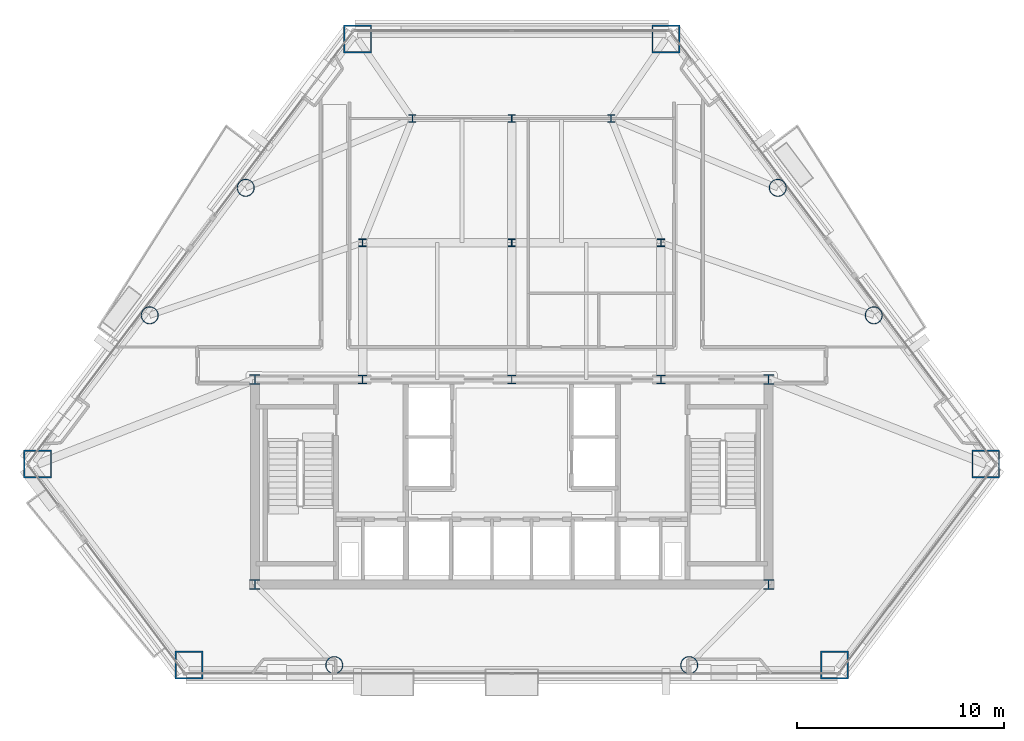
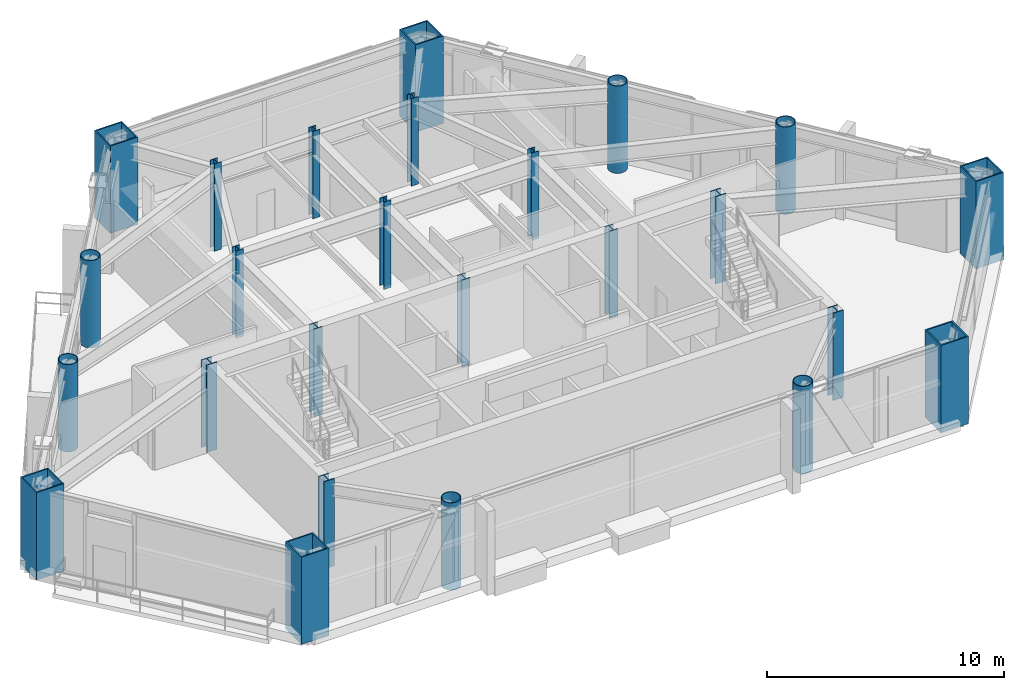
# One storey, part 1 of 10: 25 columns.
"""IFC4 building model written with IfcOpenShell, lengths in metres."""

import ifcopenshell
import ifcopenshell.guid

model = None  # the IFC model being written
_history = None  # IfcOwnerHistory: only IFC2X3 demands one
_inside = {}  # id of a spatial element -> (the spatial element, [elements in it])
_under = {}  # id of a project, library or spatial element -> (it, [spatial elements below it])
_declared = {}  # id of a project -> (the project, [libraries it declares])
_typed = {}  # id of a type object -> (the type object, [elements of that type])
_made_of = {}  # id of a material, layer set ... -> (it, [elements and type objects made of it])


def new_model(schema):
    """Start an empty IFC model of exactly this schema.

    Asked for "IFC4X3", IfcOpenShell would pick the latest addendum, in which some entities
    have other attributes; the version numbers below select the first issue.
    IFC2X3 requires an IfcOwnerHistory on every rooted entity: one is made here for all.
    """
    global model, _history
    if schema == "IFC4X3":
        model = ifcopenshell.file(schema_version=(4, 3, 0, 0))
    else:
        model = ifcopenshell.file(schema=schema)
    _inside.clear()
    _under.clear()
    _declared.clear()
    _typed.clear()
    _made_of.clear()
    _history = None
    if model.schema == "IFC2X3":
        org = make("IfcOrganization", Name="unknown")
        user = make(
            "IfcPersonAndOrganization",
            ThePerson=make("IfcPerson", FamilyName="unknown"),
            TheOrganization=org,
        )
        app = make(
            "IfcApplication",
            ApplicationDeveloper=org,
            Version="unknown",
            ApplicationFullName="unknown",
            ApplicationIdentifier="unknown",
        )
        _history = make(
            "IfcOwnerHistory",
            OwningUser=user,
            OwningApplication=app,
            ChangeAction="ADDED",
            CreationDate=0,
        )
    return model


def make(cls, **values):
    """One entity of the class cls with the attributes given. An attribute that is None is left unset."""
    return model.create_entity(
        cls, **{name: value for name, value in values.items() if value is not None}
    )


def rooted(cls, **values):
    """An entity with a GlobalId (a new one), such as an element, a storey or a relation."""
    return make(cls, GlobalId=ifcopenshell.guid.new(), OwnerHistory=_history, **values)


def si_unit(unit_type, name, prefix=None):
    """IfcSIUnit, for example si_unit("LENGTHUNIT", "METRE", prefix="MILLI")."""
    return make("IfcSIUnit", UnitType=unit_type, Prefix=prefix, Name=name)


def assignment(units):
    """IfcUnitAssignment: the units of a project."""
    return None if units is None else make("IfcUnitAssignment", Units=units)


def point(xyz):
    """IfcCartesianPoint."""
    return None if xyz is None else make("IfcCartesianPoint", Coordinates=xyz)


def direction(xyz):
    """IfcDirection."""
    return None if xyz is None else make("IfcDirection", DirectionRatios=xyz)


def frame(location, z_axis=None, x_axis=None):
    """IfcAxis2Placement3D, a coordinate frame: its origin and axes. An axis left out is left unset."""
    return make(
        "IfcAxis2Placement3D",
        Location=point(location),
        Axis=direction(z_axis),
        RefDirection=direction(x_axis),
    )


def frame_2d(location, x_axis=None):
    """IfcAxis2Placement2D, a coordinate frame in the plane: its origin and x axis."""
    return make(
        "IfcAxis2Placement2D", Location=point(location), RefDirection=direction(x_axis)
    )


def origin():
    """The frame at (0, 0, 0) with its axes left unset."""
    return frame((0.0, 0.0, 0.0))


def origin_2d():
    """The frame at (0, 0) in the plane with its x axis left unset."""
    return frame_2d((0.0, 0.0))


def place(relative_to, where):
    """IfcLocalPlacement: puts the frame where relative to a parent placement (None: the world)."""
    return make(
        "IfcLocalPlacement", PlacementRelTo=relative_to, RelativePlacement=where
    )


def context(
    kind, dimensions, precision=None, world=None, true_north=None, identifier=None
):
    """IfcGeometricRepresentationContext, for example the 3D "Model" context."""
    return make(
        "IfcGeometricRepresentationContext",
        ContextIdentifier=identifier,
        ContextType=kind,
        CoordinateSpaceDimension=dimensions,
        Precision=precision,
        WorldCoordinateSystem=world,
        TrueNorth=true_north,
    )


def subcontext(parent, identifier, kind, view, scale=None):
    """IfcGeometricRepresentationSubContext, for example "Body" below "Model"."""
    return make(
        "IfcGeometricRepresentationSubContext",
        ContextIdentifier=identifier,
        ContextType=kind,
        ParentContext=parent,
        TargetScale=scale,
        TargetView=view,
    )


def project(units=None, contexts=None):
    """IfcProject with its units and contexts."""
    return rooted(
        "IfcProject",
        Name="project",
        RepresentationContexts=contexts,
        UnitsInContext=assignment(units),
    )


def spatial(cls, under=None, at=None, **own):
    """A site, building, storey or space (cls), placed at a placement, below another one or the project."""
    s = rooted(cls, ObjectPlacement=at, **own)
    if under is not None:
        _under.setdefault(under.id(), (under, []))[1].append(s)
    return s


def profile(cls, at=None, kind="AREA", **sizes):
    """A parametric profile (cls). Its sizes go by their IFC names, for example OverallWidth=200.0."""
    return make(cls, ProfileType=kind, Position=at, **sizes)


def hollow_rectangle(**sizes):
    """IfcRectangleHollowProfileDef."""
    return profile("IfcRectangleHollowProfileDef", **sizes)


def hollow_circle(**sizes):
    """IfcCircleHollowProfileDef."""
    return profile("IfcCircleHollowProfileDef", **sizes)


def i_section(**sizes):
    """IfcIShapeProfileDef."""
    return profile("IfcIShapeProfileDef", **sizes)


def extrude(swept, where, along, depth):
    """IfcExtrudedAreaSolid: the profile swept, set in the frame where, extruded along a direction by depth."""
    return make(
        "IfcExtrudedAreaSolid",
        SweptArea=swept,
        Position=where,
        ExtrudedDirection=direction(along),
        Depth=depth,
    )


def shape(context_of_items, identifier, shape_type, items):
    """IfcShapeRepresentation: the items that make up one representation, for example the "Body"."""
    return make(
        "IfcShapeRepresentation",
        ContextOfItems=context_of_items,
        RepresentationIdentifier=identifier,
        RepresentationType=shape_type,
        Items=items,
    )


def material(Name=None, Category=None):
    """IfcMaterial."""
    return make("IfcMaterial", Name=Name, Category=Category)


def material_profile(
    of_material, cross_section, Name=None, Category=None, Priority=None
):
    """IfcMaterialProfile: a cross section and its material."""
    return make(
        "IfcMaterialProfile",
        Name=Name,
        Material=of_material,
        Profile=cross_section,
        Priority=Priority,
        Category=Category,
    )


def profile_set(profiles, Name=None, composite=None):
    """IfcMaterialProfileSet."""
    return make(
        "IfcMaterialProfileSet",
        Name=Name,
        MaterialProfiles=profiles,
        CompositeProfile=composite,
    )


def made_of(thing, what):
    """Note that an element or type object is made of a material, layer set ...; save() writes the relation."""
    if what is not None:
        _made_of.setdefault(what.id(), (what, []))[1].append(thing)
    return thing


def type_object(cls, material=None, **own):
    """A type object (cls), such as IfcWallType, which elements share."""
    return made_of(rooted(cls, **own), material)


def element(
    cls,
    number,
    at=None,
    inside=None,
    cuts=None,
    type_object=None,
    material=None,
    context=None,
    identifier="Body",
    shape_type=None,
    held_by="IfcProductDefinitionShape",
    body=None,
    shapes=None,
    **own,
):
    """One element of the class cls, such as IfcWall. Its Tag is "e" and its number.

    at: its placement. inside: the storey or other place that contains it. cuts: it is an
    opening in that element (IfcRelVoidsElement). A single representation is given by context,
    identifier, shape_type and body (its items); several are given by shapes. held_by: the class
    of the entity that holds the representations. save() writes the other relations.
    """
    e = rooted(cls, Tag="e%d" % number, ObjectPlacement=at, **own)
    if body is not None:
        shapes = [shape(context, identifier, shape_type, body)]
    if shapes is not None:
        e.Representation = make(held_by, Representations=shapes)
    if inside is not None:
        _inside.setdefault(inside.id(), (inside, []))[1].append(e)
    if cuts is not None:
        rooted(
            "IfcRelVoidsElement", RelatingBuildingElement=cuts, RelatedOpeningElement=e
        )
    if type_object is not None:
        _typed.setdefault(type_object.id(), (type_object, []))[1].append(e)
    return made_of(e, material)


def aggregate(whole, parts):
    """IfcRelAggregates: a whole, such as a stair, and the parts it consists of."""
    return rooted("IfcRelAggregates", RelatingObject=whole, RelatedObjects=parts)


def save(model, path):
    """Write the relations noted so far, then the file.

    IfcRelAggregates (storeys below a building ...), IfcRelContainedInSpatialStructure (elements
    in a storey), IfcRelDefinesByType, IfcRelAssociatesMaterial and IfcRelDeclares: one each for
    every whole, place, type object, material and project.
    """
    for whole, parts in _under.values():
        aggregate(whole, parts)
    for where, things in _inside.values():
        rooted(
            "IfcRelContainedInSpatialStructure",
            RelatedElements=things,
            RelatingStructure=where,
        )
    for kind, things in _typed.values():
        rooted("IfcRelDefinesByType", RelatedObjects=things, RelatingType=kind)
    for what, things in _made_of.values():
        rooted("IfcRelAssociatesMaterial", RelatedObjects=things, RelatingMaterial=what)
    for by, libraries in _declared.values():
        rooted("IfcRelDeclares", RelatingContext=by, RelatedDefinitions=libraries)
    model.write(path)


model = new_model("IFC4")

# Units and contexts
model_context = context("Model", 3, precision=1e-05, world=origin(), true_north=direction((0.0, 1.0)))
body_context = subcontext(model_context, "Body", "Model", "MODEL_VIEW")
ifc_project = project(units=[si_unit("LENGTHUNIT", "METRE"), si_unit("AREAUNIT", "SQUARE_METRE"), si_unit("VOLUMEUNIT", "CUBIC_METRE"), si_unit("PLANEANGLEUNIT", "RADIAN"), si_unit("MASSUNIT", "GRAM", prefix="KILO")], contexts=[model_context])

# Site, building, storey
site_placement = place(None, origin())
site = spatial("IfcSite", under=ifc_project, at=site_placement, CompositionType="ELEMENT")
building_placement = place(site_placement, origin())
building = spatial("IfcBuilding", under=site, at=building_placement, Name="Talgorran Terracotta Tower", CompositionType="ELEMENT")
storey_placement = place(building_placement, frame((0.0, 0.0, 60.300048828125)))
storey = spatial("IfcBuildingStorey", under=building, at=storey_placement, Name="L15", CompositionType="ELEMENT", Elevation=60.300048828125)

# Columns
ifc_material_1 = material(Name="Steel S355 (300PLUS)", Category="steel")
ifc_material_profile_1 = material_profile(ifc_material_1, i_section(OverallWidth=0.35009765625, OverallDepth=0.366943359375, WebThickness=0.02490234375, FlangeThickness=0.031982421875, at=origin_2d()), Name="350WC258")
ifc_profile_set_1 = profile_set([ifc_material_profile_1], Name="Steel S355 (300PLUS)")
column_type_1 = type_object("IfcColumnType", Name="COL_350WC258", PredefinedType="COLUMN", material=ifc_profile_set_1)
for number, where, z_axis, x_axis, name in (
    (1, (-7.199951171875, 2.39990234375, 0.0), (0.0, 0.0, 1.0), (1.0, 0.0, 0.0), "L15 Interior Gravity Column IC1"),
    (2, (0.0, 2.39990234375, 0.0), (0.0, 0.0, 1.0), (1.0, 0.0, 0.0), "L15 Interior Gravity Column IC2"),
    (3, (7.199951171875, 2.39990234375, 0.0), (0.0, 0.0, 1.0), (1.0, 0.0, 0.0), "L15 Interior Gravity Column IC3"),
    (4, (-4.800048828125, 8.39990234375, 0.0), (0.0, 0.0, 1.0), (1.0, 0.0, 0.0), "L15 Interior Gravity Column IC4"),
    (5, (0.0, 8.39990234375, 0.0), (0.0, 0.0, 1.0), (1.0, 0.0, 0.0), "L15 Interior Gravity Column IC5"),
    (6, (4.800048828125, 8.39990234375, 0.0), (0.0, 0.0, 1.0), (1.0, 0.0, 0.0), "L15 Interior Gravity Column IC6"),
):
    element("IfcColumn", number, at=place(storey_placement, frame(where, z_axis=z_axis, x_axis=x_axis)), inside=storey, type_object=column_type_1, Name=name, PredefinedType="COLUMN", context=body_context, shape_type="SweptSolid", body=[
        extrude(i_section(OverallWidth=0.35009765625, OverallDepth=0.366943359375, WebThickness=0.02490234375, FlangeThickness=0.031982421875, at=origin_2d()), origin(), (0.0, 0.0, 1.0), 4.5),
    ])
ifc_material_profile_2 = material_profile(ifc_material_1, i_section(OverallWidth=0.5, OverallDepth=0.48193359375, WebThickness=0.0400390625, FlangeThickness=0.044921875, at=origin_2d()), Name="500WC440")
ifc_profile_set_2 = profile_set([ifc_material_profile_2], Name="Steel S355 (300PLUS)")
column_type_2 = type_object("IfcColumnType", Name="COL_500WC440", PredefinedType="COLUMN", material=ifc_profile_set_2)
for number, where, z_axis, x_axis, name in (
    (7, (-12.39990234375, -14.10009765625, 0.0), (0.0, 0.0, 1.0), (1.0, 0.0, 0.0), "L15 Core Boundary Column CC1"),
    (8, (12.39990234375, -14.10009765625, 0.0), (0.0, 0.0, 1.0), (1.0, 0.0, 0.0), "L15 Core Boundary Column CC2"),
    (9, (12.39990234375, -4.199951171875, 0.0), (0.0, 0.0, 1.0), (1.0, 0.0, 0.0), "L15 Core Boundary Column CC3"),
    (10, (-12.39990234375, -4.199951171875, 0.0), (0.0, 0.0, 1.0), (1.0, 0.0, 0.0), "L15 Core Boundary Column CC4"),
):
    element("IfcColumn", number, at=place(storey_placement, frame(where, z_axis=z_axis, x_axis=x_axis)), inside=storey, type_object=column_type_2, Name=name, PredefinedType="COLUMN", context=body_context, shape_type="SweptSolid", body=[
        extrude(i_section(OverallWidth=0.5, OverallDepth=0.48193359375, WebThickness=0.0400390625, FlangeThickness=0.044921875, at=origin_2d()), origin(), (0.0, 0.0, 1.0), 4.5),
    ])
ifc_material_2 = material(Name="Steel Grade 350 (350L0)", Category="steel")
ifc_material_profile_3 = material_profile(ifc_material_2, hollow_rectangle(XDim=1.35009765625, YDim=1.35009765625, WallThickness=0.06494140625, at=origin_2d()), Name="CFT1350X1350X65")
ifc_profile_set_3 = profile_set([ifc_material_profile_3], Name="Steel Grade 350 (350L0)")
column_type_3 = type_object("IfcColumnType", Name="COL_CFT_1350", PredefinedType="COLUMN", material=ifc_profile_set_3)
for number, where, z_axis, x_axis, name in (
    (11, (-22.88525390625, -8.28662109375, 0.0), (0.0, 0.0, 1.0), (1.0, 0.0, 0.0), "L15 Corner CFT Mega-Column MC1"),
    (12, (-15.57958984375, -17.9912109375, 0.0), (0.0, 0.0, 1.0), (1.0, 0.0, 0.0), "L15 Corner CFT Mega-Column MC2"),
    (13, (15.57958984375, -17.9912109375, 0.0), (0.0, 0.0, 1.0), (1.0, 0.0, 0.0), "L15 Corner CFT Mega-Column MC3"),
    (14, (22.88525390625, -8.28662109375, 0.0), (0.0, 0.0, 1.0), (1.0, 0.0, 0.0), "L15 Corner CFT Mega-Column MC4"),
    (15, (7.437744140625, 12.2333984375, 0.0), (0.0, 0.0, 1.0), (1.0, 0.0, 0.0), "L15 Corner CFT Mega-Column MC5"),
    (16, (-7.437744140625, 12.2333984375, 0.0), (0.0, 0.0, 1.0), (1.0, 0.0, 0.0), "L15 Corner CFT Mega-Column MC6"),
):
    element("IfcColumn", number, at=place(storey_placement, frame(where, z_axis=z_axis, x_axis=x_axis)), inside=storey, type_object=column_type_3, Name=name, PredefinedType="COLUMN", context=body_context, shape_type="SweptSolid", body=[
        extrude(hollow_rectangle(XDim=1.35009765625, YDim=1.35009765625, WallThickness=0.06494140625, at=origin_2d()), origin(), (0.0, 0.0, 1.0), 4.5),
    ])
ifc_material_profile_4 = material_profile(ifc_material_2, hollow_circle(Radius=0.425048828125, WallThickness=0.0380859375, at=origin_2d()), Name="CHS850X38")
ifc_profile_set_4 = profile_set([ifc_material_profile_4], Name="Steel Grade 350 (350L0)")
column_type_4 = type_object("IfcColumnType", Name="COL_CHS_850", PredefinedType="COLUMN", material=ifc_profile_set_4)
for number, where, z_axis, x_axis, name in (
    (17, (-8.56884765625, -17.9912109375, 0.0), (0.0, 0.0, 1.0), (1.0, 0.0, 0.0), "L15 Facet Perimeter Column FC1"),
    (18, (8.56884765625, -17.9912109375, 0.0), (0.0, 0.0, 1.0), (1.0, 0.0, 0.0), "L15 Facet Perimeter Column FC2"),
    (19, (17.478515625, -1.1044921875, 0.0), (0.0, 0.0, 1.0), (1.0, 0.0, 0.0), "L15 Facet Perimeter Column FC3"),
    (20, (12.844482421875, 5.05126953125, 0.0), (0.0, 0.0, 1.0), (1.0, 0.0, 0.0), "L15 Facet Perimeter Column FC4"),
    (21, (-12.844482421875, 5.05126953125, 0.0), (0.0, 0.0, 1.0), (1.0, 0.0, 0.0), "L15 Facet Perimeter Column FC5"),
    (22, (-17.478515625, -1.1044921875, 0.0), (0.0, 0.0, 1.0), (1.0, 0.0, 0.0), "L15 Facet Perimeter Column FC6"),
):
    element("IfcColumn", number, at=place(storey_placement, frame(where, z_axis=z_axis, x_axis=x_axis)), inside=storey, type_object=column_type_4, Name=name, PredefinedType="COLUMN", context=body_context, shape_type="SweptSolid", body=[
        extrude(hollow_circle(Radius=0.425048828125, WallThickness=0.0380859375, at=origin_2d()), origin(), (0.0, 0.0, 1.0), 4.5),
    ])
ifc_material_profile_5 = material_profile(ifc_material_1, i_section(OverallWidth=0.405029296875, OverallDepth=0.4140625, WebThickness=0.02197265625, FlangeThickness=0.031982421875, at=origin_2d()), Name="400WC270")
ifc_profile_set_5 = profile_set([ifc_material_profile_5], Name="Steel S355 (300PLUS)")
column_type_5 = type_object("IfcColumnType", Name="COL_PIL_400WC270", PredefinedType="PILASTER", material=ifc_profile_set_5)
for number, where, z_axis, x_axis, name in (
    (23, (-7.199951171875, -4.199951171875, 0.0), (0.0, 0.0, 1.0), (1.0, 0.0, 0.0), "L15 Core Shear Pilaster CP1"),
    (24, (0.0, -4.199951171875, 0.0), (0.0, 0.0, 1.0), (1.0, 0.0, 0.0), "L15 Core Shear Pilaster CP2"),
    (25, (7.199951171875, -4.199951171875, 0.0), (0.0, 0.0, 1.0), (1.0, 0.0, 0.0), "L15 Core Shear Pilaster CP3"),
):
    element("IfcColumn", number, at=place(storey_placement, frame(where, z_axis=z_axis, x_axis=x_axis)), inside=storey, type_object=column_type_5, Name=name, PredefinedType="PILASTER", context=body_context, shape_type="SweptSolid", body=[
        extrude(i_section(OverallWidth=0.405029296875, OverallDepth=0.4140625, WebThickness=0.02197265625, FlangeThickness=0.031982421875, at=origin_2d()), origin(), (0.0, 0.0, 1.0), 4.5),
    ])

save(model, "model.ifc")
